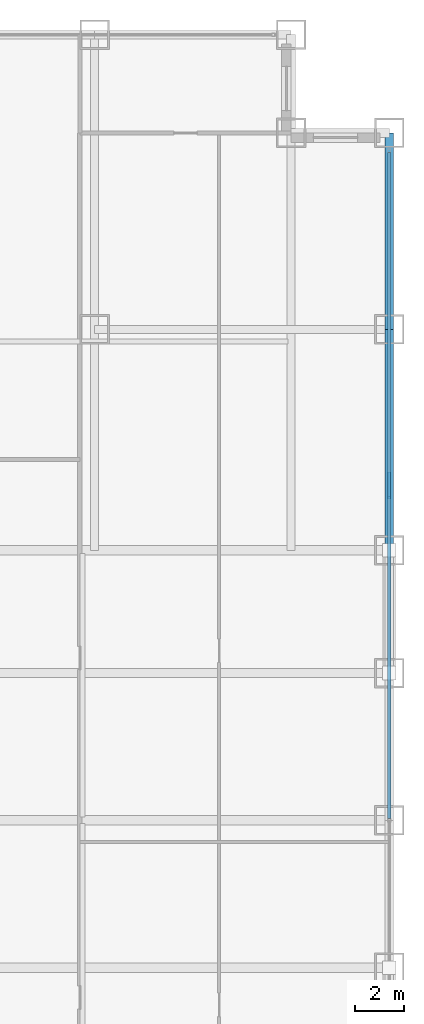
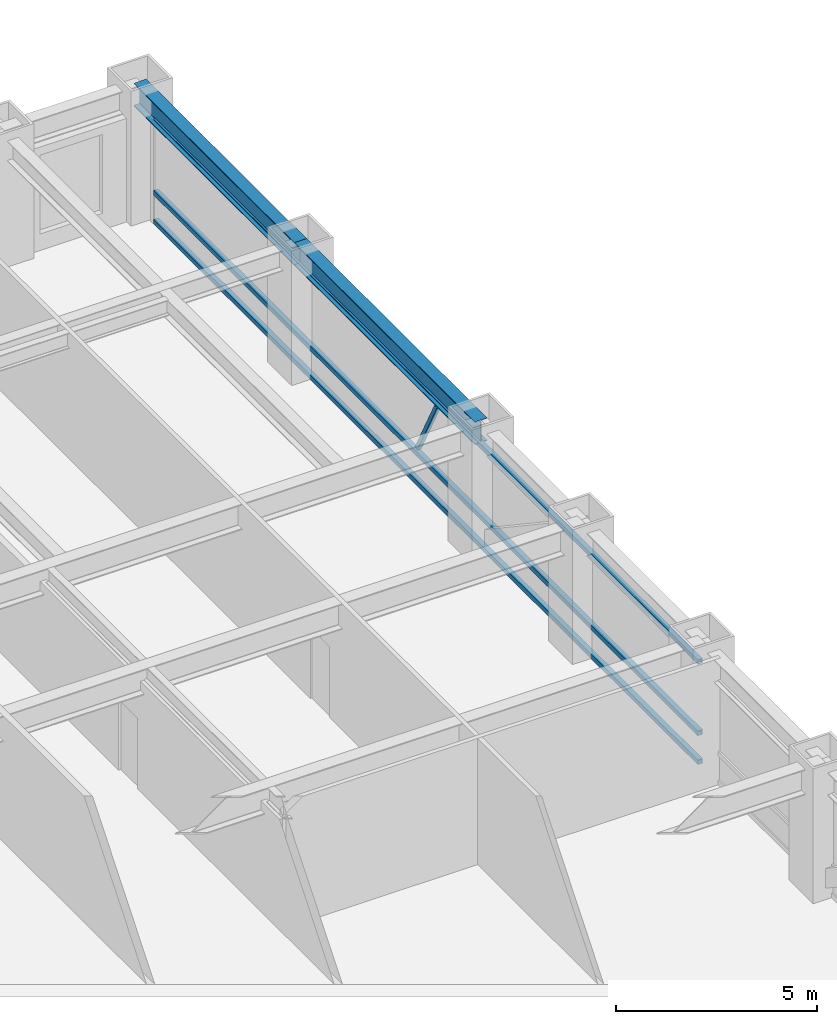
# One storey, part 15 of 28: 4 members, 2 beams, 1 element without a shape of its own.
"""IFC4 building model written with IfcOpenShell, lengths in metres."""

from ifc_helpers import new_model, si_unit, direction, frame, origin, origin_2d, place, context, subcontext, project, spatial, hollow_rectangle, i_section, extrude, source, transform, mapped, material, material_profile, profile_set, type_object, element, aggregate, save


model = new_model("IFC4")

# Units and contexts
model_context = context("Model", 3, precision=1e-05, world=origin(), true_north=direction((0.0, 1.0)))
body_context = subcontext(model_context, "Body", "Model", "MODEL_VIEW")
ifc_project = project(units=[si_unit("LENGTHUNIT", "METRE"), si_unit("AREAUNIT", "SQUARE_METRE"), si_unit("VOLUMEUNIT", "CUBIC_METRE"), si_unit("PLANEANGLEUNIT", "RADIAN"), si_unit("MASSUNIT", "GRAM", prefix="KILO")], contexts=[model_context])

# Site, building, storey
site_placement = place(None, origin())
site = spatial("IfcSite", under=ifc_project, at=site_placement, CompositionType="ELEMENT")
building_placement = place(site_placement, origin())
building = spatial("IfcBuilding", under=site, at=building_placement, Name="Khorayat Bourse Tower", CompositionType="ELEMENT")
storey_placement = place(building_placement, frame((0.0, 0.0, 124.199951171875)))
storey = spatial("IfcBuildingStorey", under=building, at=storey_placement, Name="L28", CompositionType="ELEMENT", Elevation=124.199951171875)

# Beams
ifc_material_1 = material(Name="Steel ASTM A992 Grade 50", Category="steel")
ifc_material_profile_1 = material_profile(ifc_material_1, i_section(OverallWidth=0.35498046875, OverallDepth=0.695068359375, WebThickness=0.015380859375, FlangeThickness=0.02490234375, FilletRadius=0.01806640625, at=origin_2d()), Name="W690X217")
ifc_profile_set_1 = profile_set([ifc_material_profile_1], Name="Steel ASTM A992 Grade 50")
beam_type = type_object("IfcBeamType", Name="BM-SPAN-690", PredefinedType="SPANDREL", material=ifc_profile_set_1)
shared_shape_1 = source(origin(), body_context, "Body", "SweptSolid", [
    extrude(i_section(OverallWidth=0.35498046875, OverallDepth=0.695068359375, WebThickness=0.015380859375, FlangeThickness=0.02490234375, FilletRadius=0.01806640625, at=origin_2d()), origin(), (0.0, 0.0, 1.0), 9.0),
])
beam_1_placement = place(storey_placement, frame((32.0, 11.0, 3.492431640625), z_axis=(0.0, 1.0, 0.0), x_axis=(-1.0, 0.0, 0.0)))
element("IfcBeam", 1, at=beam_1_placement, inside=storey, type_object=beam_type, Name="L28 BM-SPAN-690 BM-L28-SPN-040", PredefinedType="SPANDREL", context=body_context, shape_type="MappedRepresentation", body=[
    mapped(shared_shape_1, transform((0.0, 0.0, 0.0), scale=1.0)),
])
shared_shape_2 = source(origin(), body_context, "Body", "SweptSolid", [
    extrude(i_section(OverallWidth=0.35498046875, OverallDepth=0.695068359375, WebThickness=0.015380859375, FlangeThickness=0.02490234375, FilletRadius=0.01806640625, at=origin_2d()), origin(), (0.0, 0.0, 1.0), 8.0),
])
beam_2_placement = place(storey_placement, frame((32.0, 20.0, 3.492431640625), z_axis=(0.0, 1.0, 0.0), x_axis=(-1.0, 0.0, 0.0)))
element("IfcBeam", 2, at=beam_2_placement, inside=storey, type_object=beam_type, Name="L28 BM-SPAN-690 BM-L28-SPN-041", PredefinedType="SPANDREL", context=body_context, shape_type="MappedRepresentation", body=[
    mapped(shared_shape_2, transform((0.0, 0.0, 0.0), scale=1.0)),
])

# Curtain wall, members
ifc_material_2 = material(Name="Aluminium EN AW-6063 T6", Category="aluminium")
curtain_wall_type = type_object("IfcCurtainWallType", Name="CW-SYS-02", PredefinedType="NOTDEFINED", material=ifc_material_2)
curtain_wall_placement = place(storey_placement, origin())
curtain_wall = element("IfcCurtainWall", 3, at=curtain_wall_placement, inside=storey, type_object=curtain_wall_type, Name="L28 Curtain Wall CW-L28-E1", PredefinedType="NOTDEFINED")
ifc_material_profile_2 = material_profile(ifc_material_2, hollow_rectangle(XDim=0.139892578125, YDim=0.139892578125, WallThickness=0.006103515625, at=origin_2d()), Name="ALU 140x140x6")
ifc_profile_set_2 = profile_set([ifc_material_profile_2], Name="Aluminium EN AW-6063 T6")
member_type_1 = type_object("IfcMemberType", Name="CWT-HORZ-140", PredefinedType="USERDEFINED", material=ifc_profile_set_2)
shared_shape_3 = source(origin(), body_context, "Body", "SweptSolid", [
    extrude(hollow_rectangle(XDim=0.139892578125, YDim=0.139892578125, WallThickness=0.006103515625, at=origin_2d()), origin(), (0.0, 0.0, 1.0), 27.139892578125),
])
member_1_placement = place(storey_placement, frame((32.0, 0.070068359375, 0.070068359375), z_axis=(0.0, 1.0, 0.0), x_axis=(-1.0, 0.0, 0.0)))
member_1 = element("IfcMember", 4, at=member_1_placement, type_object=member_type_1, Name="CW-L28-E1 Horizontal Transom 2-1", ObjectType="TRANSOM", PredefinedType="USERDEFINED", context=body_context, shape_type="MappedRepresentation", body=[
    mapped(shared_shape_3, transform((0.0, 0.0, 0.0), scale=1.0)),
])
member_2_placement = place(storey_placement, frame((32.0, 0.070068359375, 0.949951171875), z_axis=(0.0, 1.0, 0.0), x_axis=(-1.0, 0.0, 0.0)))
member_2 = element("IfcMember", 5, at=member_2_placement, type_object=member_type_1, Name="CW-L28-E1 Horizontal Transom 2-2", ObjectType="TRANSOM", PredefinedType="USERDEFINED", context=body_context, shape_type="MappedRepresentation", body=[
    mapped(shared_shape_3, transform((0.0, 0.0, 0.0), scale=1.0)),
])
member_3_placement = place(storey_placement, frame((32.0, 0.070068359375, 3.1201171875), z_axis=(0.0, 1.0, 0.0), x_axis=(-1.0, 0.0, 0.0)))
member_3 = element("IfcMember", 6, at=member_3_placement, type_object=member_type_1, Name="CW-L28-E1 Horizontal Transom 2-3", ObjectType="TRANSOM", PredefinedType="USERDEFINED", context=body_context, shape_type="MappedRepresentation", body=[
    mapped(shared_shape_3, transform((0.0, 0.0, 0.0), scale=1.0)),
])
ifc_material_profile_3 = material_profile(ifc_material_2, hollow_rectangle(XDim=0.1201171875, YDim=0.1201171875, WallThickness=0.0048828125, at=origin_2d()), Name="ALU 120x120x5")
ifc_profile_set_3 = profile_set([ifc_material_profile_3], Name="Aluminium EN AW-6063 T6")
member_type_2 = type_object("IfcMemberType", Name="CWM-DIAG-120", PredefinedType="MULLION", material=ifc_profile_set_3)
shared_shape_4 = source(origin(), body_context, "Body", "SweptSolid", [
    extrude(hollow_rectangle(XDim=0.1201171875, YDim=0.1201171875, WallThickness=0.0048828125, at=origin_2d()), origin(), (0.0, 0.0, 1.0), 2.113037109375),
])
member_4_placement = place(storey_placement, frame((32.0, 14.132080078125, 1.10009765625), z_axis=(0.0, -0.465741670874, 0.884920728659), x_axis=(1.0, 0.0, 0.0)))
member_4 = element("IfcMember", 7, at=member_4_placement, type_object=member_type_2, Name="CW-L28-E1 Faceted Diagonal Mullion 2", PredefinedType="MULLION", context=body_context, shape_type="MappedRepresentation", body=[
    mapped(shared_shape_4, transform((0.0, 0.0, 0.0), scale=1.0)),
])
aggregate(curtain_wall, [member_1, member_2, member_3, member_4])

save(model, "model.ifc")
